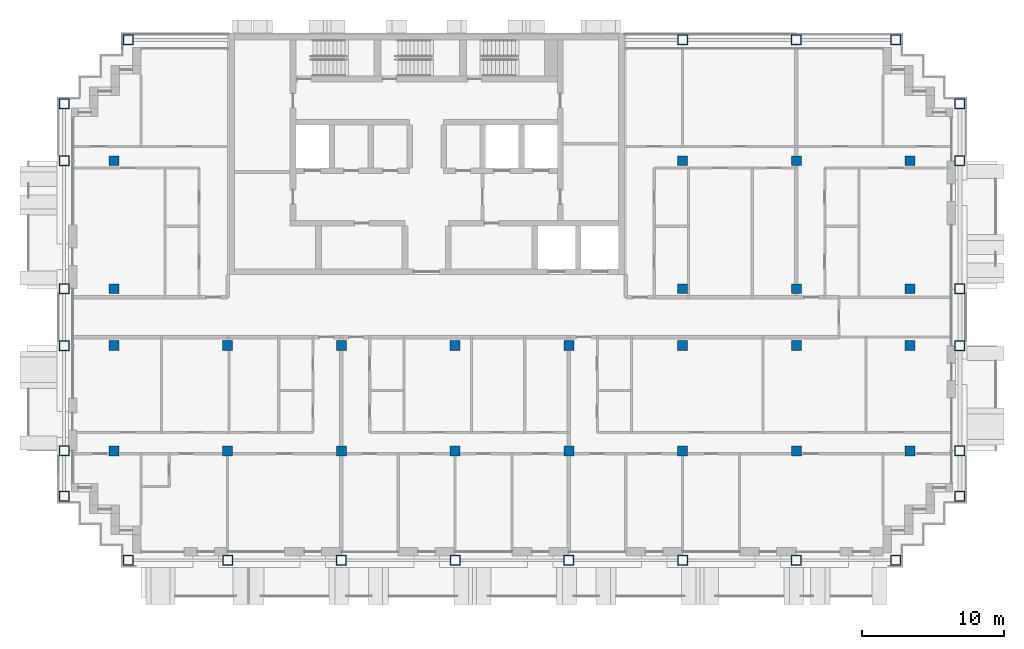
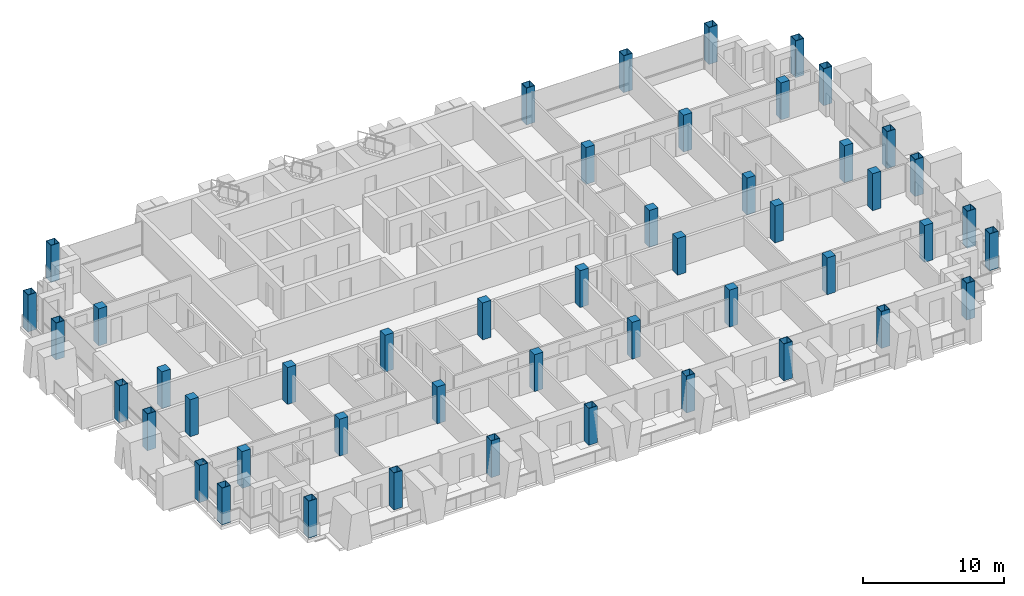
# One storey, part 1 of 16: 48 columns.
"""IFC4 building model written with IfcOpenShell, lengths in metres."""

import ifcopenshell
import ifcopenshell.guid

model = None  # the IFC model being written
_history = None  # IfcOwnerHistory: only IFC2X3 demands one
_inside = {}  # id of a spatial element -> (the spatial element, [elements in it])
_under = {}  # id of a project, library or spatial element -> (it, [spatial elements below it])
_declared = {}  # id of a project -> (the project, [libraries it declares])
_typed = {}  # id of a type object -> (the type object, [elements of that type])
_made_of = {}  # id of a material, layer set ... -> (it, [elements and type objects made of it])


def new_model(schema):
    """Start an empty IFC model of exactly this schema.

    Asked for "IFC4X3", IfcOpenShell would pick the latest addendum, in which some entities
    have other attributes; the version numbers below select the first issue.
    IFC2X3 requires an IfcOwnerHistory on every rooted entity: one is made here for all.
    """
    global model, _history
    if schema == "IFC4X3":
        model = ifcopenshell.file(schema_version=(4, 3, 0, 0))
    else:
        model = ifcopenshell.file(schema=schema)
    _inside.clear()
    _under.clear()
    _declared.clear()
    _typed.clear()
    _made_of.clear()
    _history = None
    if model.schema == "IFC2X3":
        org = make("IfcOrganization", Name="unknown")
        user = make(
            "IfcPersonAndOrganization",
            ThePerson=make("IfcPerson", FamilyName="unknown"),
            TheOrganization=org,
        )
        app = make(
            "IfcApplication",
            ApplicationDeveloper=org,
            Version="unknown",
            ApplicationFullName="unknown",
            ApplicationIdentifier="unknown",
        )
        _history = make(
            "IfcOwnerHistory",
            OwningUser=user,
            OwningApplication=app,
            ChangeAction="ADDED",
            CreationDate=0,
        )
    return model


def make(cls, **values):
    """One entity of the class cls with the attributes given. An attribute that is None is left unset."""
    return model.create_entity(
        cls, **{name: value for name, value in values.items() if value is not None}
    )


def rooted(cls, **values):
    """An entity with a GlobalId (a new one), such as an element, a storey or a relation."""
    return make(cls, GlobalId=ifcopenshell.guid.new(), OwnerHistory=_history, **values)


def si_unit(unit_type, name, prefix=None):
    """IfcSIUnit, for example si_unit("LENGTHUNIT", "METRE", prefix="MILLI")."""
    return make("IfcSIUnit", UnitType=unit_type, Prefix=prefix, Name=name)


def assignment(units):
    """IfcUnitAssignment: the units of a project."""
    return None if units is None else make("IfcUnitAssignment", Units=units)


def point(xyz):
    """IfcCartesianPoint."""
    return None if xyz is None else make("IfcCartesianPoint", Coordinates=xyz)


def direction(xyz):
    """IfcDirection."""
    return None if xyz is None else make("IfcDirection", DirectionRatios=xyz)


def frame(location, z_axis=None, x_axis=None):
    """IfcAxis2Placement3D, a coordinate frame: its origin and axes. An axis left out is left unset."""
    return make(
        "IfcAxis2Placement3D",
        Location=point(location),
        Axis=direction(z_axis),
        RefDirection=direction(x_axis),
    )


def frame_2d(location, x_axis=None):
    """IfcAxis2Placement2D, a coordinate frame in the plane: its origin and x axis."""
    return make(
        "IfcAxis2Placement2D", Location=point(location), RefDirection=direction(x_axis)
    )


def origin():
    """The frame at (0, 0, 0) with its axes left unset."""
    return frame((0.0, 0.0, 0.0))


def origin_2d():
    """The frame at (0, 0) in the plane with its x axis left unset."""
    return frame_2d((0.0, 0.0))


def place(relative_to, where):
    """IfcLocalPlacement: puts the frame where relative to a parent placement (None: the world)."""
    return make(
        "IfcLocalPlacement", PlacementRelTo=relative_to, RelativePlacement=where
    )


def context(
    kind, dimensions, precision=None, world=None, true_north=None, identifier=None
):
    """IfcGeometricRepresentationContext, for example the 3D "Model" context."""
    return make(
        "IfcGeometricRepresentationContext",
        ContextIdentifier=identifier,
        ContextType=kind,
        CoordinateSpaceDimension=dimensions,
        Precision=precision,
        WorldCoordinateSystem=world,
        TrueNorth=true_north,
    )


def subcontext(parent, identifier, kind, view, scale=None):
    """IfcGeometricRepresentationSubContext, for example "Body" below "Model"."""
    return make(
        "IfcGeometricRepresentationSubContext",
        ContextIdentifier=identifier,
        ContextType=kind,
        ParentContext=parent,
        TargetScale=scale,
        TargetView=view,
    )


def project(units=None, contexts=None):
    """IfcProject with its units and contexts."""
    return rooted(
        "IfcProject",
        Name="project",
        RepresentationContexts=contexts,
        UnitsInContext=assignment(units),
    )


def spatial(cls, under=None, at=None, **own):
    """A site, building, storey or space (cls), placed at a placement, below another one or the project."""
    s = rooted(cls, ObjectPlacement=at, **own)
    if under is not None:
        _under.setdefault(under.id(), (under, []))[1].append(s)
    return s


def profile(cls, at=None, kind="AREA", **sizes):
    """A parametric profile (cls). Its sizes go by their IFC names, for example OverallWidth=200.0."""
    return make(cls, ProfileType=kind, Position=at, **sizes)


def rectangle(**sizes):
    """IfcRectangleProfileDef."""
    return profile("IfcRectangleProfileDef", **sizes)


def hollow_rectangle(**sizes):
    """IfcRectangleHollowProfileDef."""
    return profile("IfcRectangleHollowProfileDef", **sizes)


def extrude(swept, where, along, depth):
    """IfcExtrudedAreaSolid: the profile swept, set in the frame where, extruded along a direction by depth."""
    return make(
        "IfcExtrudedAreaSolid",
        SweptArea=swept,
        Position=where,
        ExtrudedDirection=direction(along),
        Depth=depth,
    )


def shape(context_of_items, identifier, shape_type, items):
    """IfcShapeRepresentation: the items that make up one representation, for example the "Body"."""
    return make(
        "IfcShapeRepresentation",
        ContextOfItems=context_of_items,
        RepresentationIdentifier=identifier,
        RepresentationType=shape_type,
        Items=items,
    )


def material(Name=None, Category=None):
    """IfcMaterial."""
    return make("IfcMaterial", Name=Name, Category=Category)


def material_profile(
    of_material, cross_section, Name=None, Category=None, Priority=None
):
    """IfcMaterialProfile: a cross section and its material."""
    return make(
        "IfcMaterialProfile",
        Name=Name,
        Material=of_material,
        Profile=cross_section,
        Priority=Priority,
        Category=Category,
    )


def profile_set(profiles, Name=None, composite=None):
    """IfcMaterialProfileSet."""
    return make(
        "IfcMaterialProfileSet",
        Name=Name,
        MaterialProfiles=profiles,
        CompositeProfile=composite,
    )


def made_of(thing, what):
    """Note that an element or type object is made of a material, layer set ...; save() writes the relation."""
    if what is not None:
        _made_of.setdefault(what.id(), (what, []))[1].append(thing)
    return thing


def type_object(cls, material=None, **own):
    """A type object (cls), such as IfcWallType, which elements share."""
    return made_of(rooted(cls, **own), material)


def element(
    cls,
    number,
    at=None,
    inside=None,
    cuts=None,
    type_object=None,
    material=None,
    context=None,
    identifier="Body",
    shape_type=None,
    held_by="IfcProductDefinitionShape",
    body=None,
    shapes=None,
    **own,
):
    """One element of the class cls, such as IfcWall. Its Tag is "e" and its number.

    at: its placement. inside: the storey or other place that contains it. cuts: it is an
    opening in that element (IfcRelVoidsElement). A single representation is given by context,
    identifier, shape_type and body (its items); several are given by shapes. held_by: the class
    of the entity that holds the representations. save() writes the other relations.
    """
    e = rooted(cls, Tag="e%d" % number, ObjectPlacement=at, **own)
    if body is not None:
        shapes = [shape(context, identifier, shape_type, body)]
    if shapes is not None:
        e.Representation = make(held_by, Representations=shapes)
    if inside is not None:
        _inside.setdefault(inside.id(), (inside, []))[1].append(e)
    if cuts is not None:
        rooted(
            "IfcRelVoidsElement", RelatingBuildingElement=cuts, RelatedOpeningElement=e
        )
    if type_object is not None:
        _typed.setdefault(type_object.id(), (type_object, []))[1].append(e)
    return made_of(e, material)


def aggregate(whole, parts):
    """IfcRelAggregates: a whole, such as a stair, and the parts it consists of."""
    return rooted("IfcRelAggregates", RelatingObject=whole, RelatedObjects=parts)


def save(model, path):
    """Write the relations noted so far, then the file.

    IfcRelAggregates (storeys below a building ...), IfcRelContainedInSpatialStructure (elements
    in a storey), IfcRelDefinesByType, IfcRelAssociatesMaterial and IfcRelDeclares: one each for
    every whole, place, type object, material and project.
    """
    for whole, parts in _under.values():
        aggregate(whole, parts)
    for where, things in _inside.values():
        rooted(
            "IfcRelContainedInSpatialStructure",
            RelatedElements=things,
            RelatingStructure=where,
        )
    for kind, things in _typed.values():
        rooted("IfcRelDefinesByType", RelatedObjects=things, RelatingType=kind)
    for what, things in _made_of.values():
        rooted("IfcRelAssociatesMaterial", RelatedObjects=things, RelatingMaterial=what)
    for by, libraries in _declared.values():
        rooted("IfcRelDeclares", RelatingContext=by, RelatedDefinitions=libraries)
    model.write(path)


model = new_model("IFC4")

# Units and contexts
model_context = context("Model", 3, precision=1e-05, world=origin(), true_north=direction((0.0, 1.0)))
body_context = subcontext(model_context, "Body", "Model", "MODEL_VIEW")
ifc_project = project(units=[si_unit("LENGTHUNIT", "METRE"), si_unit("AREAUNIT", "SQUARE_METRE"), si_unit("VOLUMEUNIT", "CUBIC_METRE"), si_unit("PLANEANGLEUNIT", "RADIAN"), si_unit("MASSUNIT", "GRAM", prefix="KILO")], contexts=[model_context])

# Site, building, storey
site_placement = place(None, origin())
site = spatial("IfcSite", under=ifc_project, at=site_placement, CompositionType="ELEMENT")
building_placement = place(site_placement, origin())
building = spatial("IfcBuilding", under=site, at=building_placement, Name="Vidyagriha Tower", CompositionType="ELEMENT")
storey_placement = place(building_placement, frame((0.0, 0.0, 168.5)))
storey = spatial("IfcBuildingStorey", under=building, at=storey_placement, Name="L43", CompositionType="ELEMENT", Elevation=168.5)

# Columns
ifc_material_1 = material(Name="Steel ASTM A572 Grade 50", Category="steel")
ifc_material_profile_1 = material_profile(ifc_material_1, hollow_rectangle(XDim=0.699951171875, YDim=0.699951171875, WallThickness=0.035888671875, at=origin_2d()), Name="BOX 700x700x36")
ifc_profile_set_1 = profile_set([ifc_material_profile_1], Name="Steel ASTM A572 Grade 50")
column_type_1 = type_object("IfcColumnType", Name="Exoskeleton column BOX 700x700x36", PredefinedType="COLUMN", material=ifc_profile_set_1)
for number, where, name in (
    (1, (-21.0, -17.10009765625, 0.0), "st-col-L43-B4-001"),
    (2, (-14.0, -17.10009765625, 0.0), "st-col-L43-B4-002"),
    (3, (-6.0, -17.10009765625, 0.0), "st-col-L43-B4-003"),
    (4, (2.0, -17.10009765625, 0.0), "st-col-L43-B4-004"),
    (5, (10.0, -17.10009765625, 0.0), "st-col-L43-B4-005"),
    (6, (18.0, -17.10009765625, 0.0), "st-col-L43-B4-006"),
    (7, (26.0, -17.10009765625, 0.0), "st-col-L43-B4-007"),
    (8, (33.0, -17.10009765625, 0.0), "st-col-L43-B4-008"),
    (9, (-25.5, -12.60009765625, 0.0), "st-col-L43-B4-009"),
    (10, (37.5, -12.60009765625, 0.0), "st-col-L43-B4-010"),
    (11, (-25.5, -9.39990234375, 0.0), "st-col-L43-B4-011"),
    (12, (37.5, -9.39990234375, 0.0), "st-col-L43-B4-020"),
    (13, (-25.5, -2.0, 0.0), "st-col-L43-B4-021"),
    (14, (37.5, -2.0, 0.0), "st-col-L43-B4-030"),
    (15, (-25.5, 2.0, 0.0), "st-col-L43-B4-031"),
    (16, (37.5, 2.0, 0.0), "st-col-L43-B4-036"),
    (17, (-25.5, 11.0, 0.0), "st-col-L43-B4-037"),
    (18, (37.5, 11.0, 0.0), "st-col-L43-B4-042"),
    (19, (-25.5, 15.0, 0.0), "st-col-L43-B4-043"),
    (20, (37.5, 15.0, 0.0), "st-col-L43-B4-044"),
    (21, (-21.0, 19.5, 0.0), "st-col-L43-B4-045"),
    (22, (18.0, 19.5, 0.0), "st-col-L43-B4-046"),
    (23, (26.0, 19.5, 0.0), "st-col-L43-B4-047"),
    (24, (33.0, 19.5, 0.0), "st-col-L43-B4-048"),
):
    element("IfcColumn", number, at=place(storey_placement, frame(where)), inside=storey, type_object=column_type_1, Name=name, PredefinedType="COLUMN", context=body_context, shape_type="SweptSolid", body=[
        extrude(hollow_rectangle(XDim=0.699951171875, YDim=0.699951171875, WallThickness=0.035888671875, at=origin_2d()), origin(), (0.0, 0.0, 1.0), 3.199951171875),
    ])
ifc_material_2 = material(Name="Concrete C60/75", Category="concrete")
ifc_material_profile_2 = material_profile(ifc_material_2, rectangle(XDim=0.699951171875, YDim=0.699951171875, at=origin_2d()), Name="RC 700x700")
ifc_profile_set_2 = profile_set([ifc_material_profile_2], Name="Concrete C60/75")
column_type_2 = type_object("IfcColumnType", Name="Frame column RC 700x700", PredefinedType="COLUMN", material=ifc_profile_set_2)
for number, where, name in (
    (25, (-22.0, -9.39990234375, 0.0), "st-col-L43-B4-012"),
    (26, (-14.0, -9.39990234375, 0.0), "st-col-L43-B4-013"),
    (27, (-6.0, -9.39990234375, 0.0), "st-col-L43-B4-014"),
    (28, (2.0, -9.39990234375, 0.0), "st-col-L43-B4-015"),
    (29, (10.0, -9.39990234375, 0.0), "st-col-L43-B4-016"),
    (30, (18.0, -9.39990234375, 0.0), "st-col-L43-B4-017"),
    (31, (26.0, -9.39990234375, 0.0), "st-col-L43-B4-018"),
    (32, (34.0, -9.39990234375, 0.0), "st-col-L43-B4-019"),
    (33, (-22.0, -2.0, 0.0), "st-col-L43-B4-022"),
    (34, (-14.0, -2.0, 0.0), "st-col-L43-B4-023"),
    (35, (-6.0, -2.0, 0.0), "st-col-L43-B4-024"),
    (36, (2.0, -2.0, 0.0), "st-col-L43-B4-025"),
    (37, (10.0, -2.0, 0.0), "st-col-L43-B4-026"),
    (38, (18.0, -2.0, 0.0), "st-col-L43-B4-027"),
    (39, (26.0, -2.0, 0.0), "st-col-L43-B4-028"),
    (40, (34.0, -2.0, 0.0), "st-col-L43-B4-029"),
    (41, (-22.0, 2.0, 0.0), "st-col-L43-B4-032"),
    (42, (18.0, 2.0, 0.0), "st-col-L43-B4-033"),
    (43, (26.0, 2.0, 0.0), "st-col-L43-B4-034"),
    (44, (34.0, 2.0, 0.0), "st-col-L43-B4-035"),
    (45, (-22.0, 11.0, 0.0), "st-col-L43-B4-038"),
    (46, (18.0, 11.0, 0.0), "st-col-L43-B4-039"),
    (47, (26.0, 11.0, 0.0), "st-col-L43-B4-040"),
    (48, (34.0, 11.0, 0.0), "st-col-L43-B4-041"),
):
    element("IfcColumn", number, at=place(storey_placement, frame(where)), inside=storey, type_object=column_type_2, Name=name, PredefinedType="COLUMN", context=body_context, shape_type="SweptSolid", body=[
        extrude(rectangle(XDim=0.699951171875, YDim=0.699951171875, at=origin_2d()), origin(), (0.0, 0.0, 1.0), 3.199951171875),
    ])

save(model, "model.ifc")
